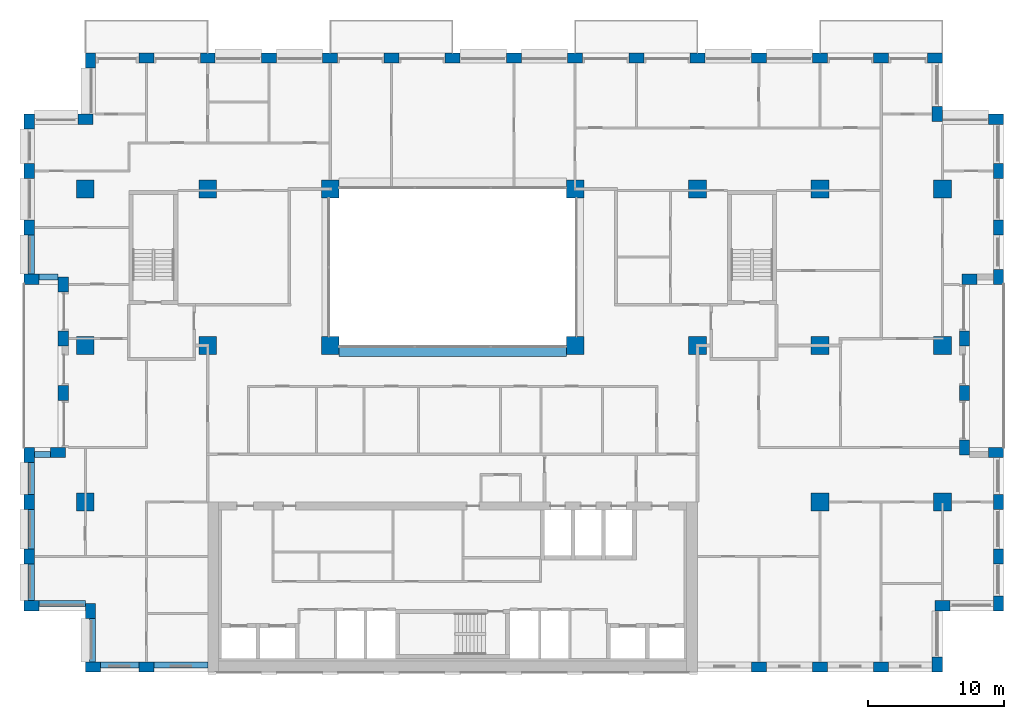
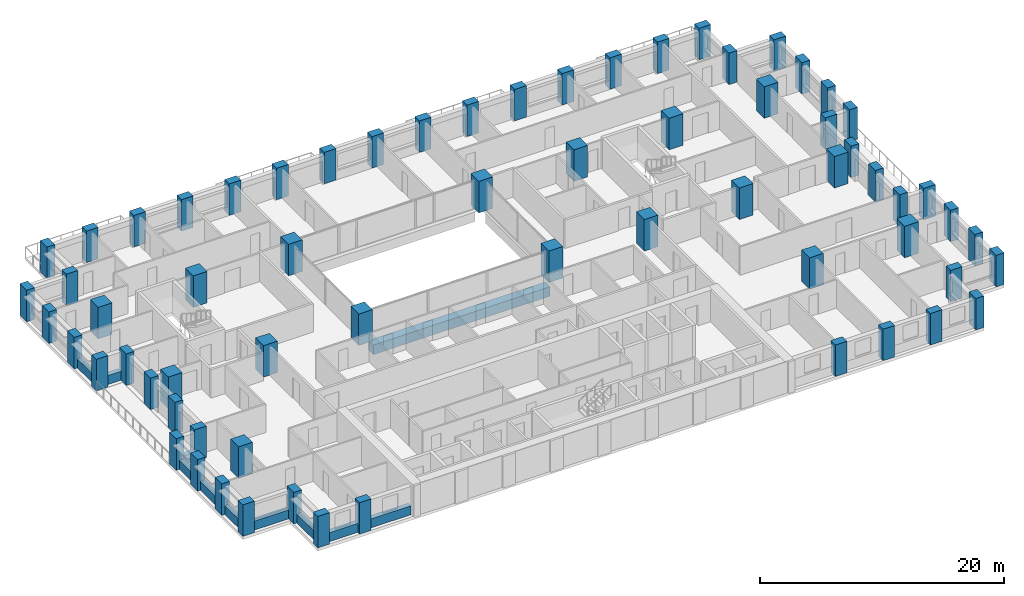
# One storey, part 1 of 17: 66 columns, 11 beams.
"""IFC4 building model written with IfcOpenShell, lengths in metres."""

from ifc_helpers import new_model, si_unit, direction, frame, origin, origin_2d, place, context, subcontext, project, spatial, rectangle, extrude, material, material_profile, profile_set, type_object, element, save


model = new_model("IFC4")

# Units and contexts
model_context = context("Model", 3, precision=1e-05, world=origin(), true_north=direction((0.0, 1.0)))
body_context = subcontext(model_context, "Body", "Model", "MODEL_VIEW")
ifc_project = project(units=[si_unit("LENGTHUNIT", "METRE"), si_unit("AREAUNIT", "SQUARE_METRE"), si_unit("VOLUMEUNIT", "CUBIC_METRE"), si_unit("PLANEANGLEUNIT", "RADIAN"), si_unit("MASSUNIT", "GRAM", prefix="KILO")], contexts=[model_context])

# Site, building, storey
site_placement = place(None, origin())
site = spatial("IfcSite", under=ifc_project, at=site_placement, CompositionType="ELEMENT")
building_placement = place(site_placement, origin())
building = spatial("IfcBuilding", under=site, at=building_placement, Name="Brigalow Station Residences", CompositionType="ELEMENT")
storey_placement = place(building_placement, frame((0.0, 0.0, 96.14990234375)))
storey = spatial("IfcBuildingStorey", under=building, at=storey_placement, Name="L27", CompositionType="ELEMENT", Elevation=96.14990234375)

# Columns
ifc_material_1 = material(Name="Concrete C65", Category="concrete")
ifc_material_profile_1 = material_profile(ifc_material_1, rectangle(XDim=1.300048828125, YDim=1.300048828125, at=origin_2d()), Name="RC1300x1300")
ifc_profile_set_1 = profile_set([ifc_material_profile_1], Name="Concrete C65")
column_type_1 = type_object("IfcColumnType", Name="COLUMN 1300x1300 C65", PredefinedType="COLUMN", material=ifc_profile_set_1)
for number, where, z_axis, x_axis, name in (
    (1, (9.0, 24.0, 0.0), (0.0, 0.0, 1.0), (1.0, 0.0, 0.0), "COLUMN C1 L27"),
    (2, (18.0, 24.0, 0.0), (0.0, 0.0, 1.0), (1.0, 0.0, 0.0), "COLUMN C2 L27"),
    (3, (27.0, 24.0, 0.0), (0.0, 0.0, 1.0), (1.0, 0.0, 0.0), "COLUMN C3 L27"),
    (4, (45.0, 24.0, 0.0), (0.0, 0.0, 1.0), (1.0, 0.0, 0.0), "COLUMN C5 L27"),
    (5, (54.0, 24.0, 0.0), (0.0, 0.0, 1.0), (1.0, 0.0, 0.0), "COLUMN C6 L27"),
    (6, (63.0, 24.0, 0.0), (0.0, 0.0, 1.0), (1.0, 0.0, 0.0), "COLUMN C7 L27"),
    (7, (72.0, 24.0, 0.0), (0.0, 0.0, 1.0), (1.0, 0.0, 0.0), "COLUMN C8 L27"),
    (8, (9.0, 35.5, 0.0), (0.0, 0.0, 1.0), (1.0, 0.0, 0.0), "COLUMN D1 L27"),
    (9, (18.0, 35.5, 0.0), (0.0, 0.0, 1.0), (1.0, 0.0, 0.0), "COLUMN D2 L27"),
    (10, (27.0, 35.5, 0.0), (0.0, 0.0, 1.0), (1.0, 0.0, 0.0), "COLUMN D3 L27"),
    (11, (45.0, 35.5, 0.0), (0.0, 0.0, 1.0), (1.0, 0.0, 0.0), "COLUMN D5 L27"),
    (12, (54.0, 35.5, 0.0), (0.0, 0.0, 1.0), (1.0, 0.0, 0.0), "COLUMN D6 L27"),
    (13, (63.0, 35.5, 0.0), (0.0, 0.0, 1.0), (1.0, 0.0, 0.0), "COLUMN D7 L27"),
    (14, (72.0, 35.5, 0.0), (0.0, 0.0, 1.0), (1.0, 0.0, 0.0), "COLUMN D8 L27"),
    (15, (9.0, 12.5, 0.0), (0.0, 0.0, 1.0), (1.0, 0.0, 0.0), "COLUMN B1 L27"),
    (16, (63.0, 12.5, 0.0), (0.0, 0.0, 1.0), (1.0, 0.0, 0.0), "COLUMN B7 L27"),
    (17, (72.0, 12.5, 0.0), (0.0, 0.0, 1.0), (1.0, 0.0, 0.0), "COLUMN B8 L27"),
):
    element("IfcColumn", number, at=place(storey_placement, frame(where, z_axis=z_axis, x_axis=x_axis)), inside=storey, type_object=column_type_1, Name=name, PredefinedType="COLUMN", context=body_context, shape_type="SweptSolid", body=[
        extrude(rectangle(XDim=1.300048828125, YDim=1.300048828125, at=origin_2d()), origin(), (0.0, 0.0, 1.0), 3.150146484375),
    ])
ifc_material_2 = material(Name="Concrete C65", Category="concrete")
ifc_material_profile_2 = material_profile(ifc_material_2, rectangle(XDim=1.10009765625, YDim=0.75, at=origin_2d()), Name="RC1100x750")
ifc_profile_set_2 = profile_set([ifc_material_profile_2], Name="Concrete C65")
column_type_2 = type_object("IfcColumnType", Name="PIER 1100x750 C65", PredefinedType="USERDEFINED", material=ifc_profile_set_2)
for number, where, z_axis, x_axis, name in (
    (18, (9.550048828125, 0.375, 0.0), (0.0, 0.0, 1.0), (1.0, 0.0, 0.0), "PIER S-1 L27"),
    (19, (13.5, 0.375, 0.0), (0.0, 0.0, 1.0), (1.0, 0.0, 0.0), "PIER S-2 L27"),
    (20, (58.5, 0.375, 0.0), (0.0, 0.0, 1.0), (1.0, 0.0, 0.0), "PIER S-12 L27"),
    (21, (63.0, 0.375, 0.0), (0.0, 0.0, 1.0), (1.0, 0.0, 0.0), "PIER S-13 L27"),
    (22, (67.5, 0.375, 0.0), (0.0, 0.0, 1.0), (1.0, 0.0, 0.0), "PIER S-14 L27"),
    (23, (71.625, 0.550048828125, 0.0), (0.0, 0.0, 1.0), (0.0, 1.0, 0.0), "PIER SE1-1 L27"),
    (24, (72.0, 4.875, 0.0), (0.0, 0.0, 1.0), (1.0, 0.0, 0.0), "PIER SE2-1 L27"),
    (25, (76.125, 5.050048828125, 0.0), (0.0, 0.0, 1.0), (0.0, 1.0, 0.0), "PIER E1-1 L27"),
    (26, (76.125, 8.5, 0.0), (0.0, 0.0, 1.0), (0.0, 1.0, 0.0), "PIER E1-2 L27"),
    (27, (76.125, 12.5, 0.0), (0.0, 0.0, 1.0), (0.0, 1.0, 0.0), "PIER E1-3 L27"),
    (28, (75.949951171875, 16.125, 0.0), (0.0, 0.0, 1.0), (-1.0, 0.0, 0.0), "PIER EL1-1 L27"),
    (29, (73.625, 16.5, 0.0), (0.0, 0.0, 1.0), (0.0, 1.0, 0.0), "PIER EL2-1 L27"),
    (30, (73.625, 20.5, 0.0), (0.0, 0.0, 1.0), (0.0, 1.0, 0.0), "PIER EL2-2 L27"),
    (31, (73.625, 24.5, 0.0), (0.0, 0.0, 1.0), (0.0, 1.0, 0.0), "PIER EL2-3 L27"),
    (32, (74.0, 28.875, 0.0), (0.0, 0.0, 1.0), (1.0, 0.0, 0.0), "PIER EL3-1 L27"),
    (33, (76.125, 29.050048828125, 0.0), (0.0, 0.0, 1.0), (0.0, 1.0, 0.0), "PIER E2-1 L27"),
    (34, (76.125, 32.6669921875, 0.0), (0.0, 0.0, 1.0), (0.0, 1.0, 0.0), "PIER E2-2 L27"),
    (35, (76.125, 36.8330078125, 0.0), (0.0, 0.0, 1.0), (0.0, 1.0, 0.0), "PIER E2-3 L27"),
    (36, (75.949951171875, 40.625, 0.0), (0.0, 0.0, 1.0), (-1.0, 0.0, 0.0), "PIER NE1-1 L27"),
    (37, (71.625, 41.0, 0.0), (0.0, 0.0, 1.0), (0.0, 1.0, 0.0), "PIER NE2-1 L27"),
    (38, (71.449951171875, 45.125, 0.0), (0.0, 0.0, 1.0), (-1.0, 0.0, 0.0), "PIER N-1 L27"),
    (39, (67.5, 45.125, 0.0), (0.0, 0.0, 1.0), (-1.0, 0.0, 0.0), "PIER N-2 L27"),
    (40, (63.0, 45.125, 0.0), (0.0, 0.0, 1.0), (-1.0, 0.0, 0.0), "PIER N-3 L27"),
    (41, (58.5, 45.125, 0.0), (0.0, 0.0, 1.0), (-1.0, 0.0, 0.0), "PIER N-4 L27"),
    (42, (54.0, 45.125, 0.0), (0.0, 0.0, 1.0), (-1.0, 0.0, 0.0), "PIER N-5 L27"),
    (43, (49.5, 45.125, 0.0), (0.0, 0.0, 1.0), (-1.0, 0.0, 0.0), "PIER N-6 L27"),
    (44, (45.0, 45.125, 0.0), (0.0, 0.0, 1.0), (-1.0, 0.0, 0.0), "PIER N-7 L27"),
    (45, (40.5, 45.125, 0.0), (0.0, 0.0, 1.0), (-1.0, 0.0, 0.0), "PIER N-8 L27"),
    (46, (36.0, 45.125, 0.0), (0.0, 0.0, 1.0), (-1.0, 0.0, 0.0), "PIER N-9 L27"),
    (47, (31.5, 45.125, 0.0), (0.0, 0.0, 1.0), (-1.0, 0.0, 0.0), "PIER N-10 L27"),
    (48, (27.0, 45.125, 0.0), (0.0, 0.0, 1.0), (-1.0, 0.0, 0.0), "PIER N-11 L27"),
    (49, (22.5, 45.125, 0.0), (0.0, 0.0, 1.0), (-1.0, 0.0, 0.0), "PIER N-12 L27"),
    (50, (18.0, 45.125, 0.0), (0.0, 0.0, 1.0), (-1.0, 0.0, 0.0), "PIER N-13 L27"),
    (51, (13.5, 45.125, 0.0), (0.0, 0.0, 1.0), (-1.0, 0.0, 0.0), "PIER N-14 L27"),
    (52, (9.375, 44.949951171875, 0.0), (0.0, 0.0, 1.0), (0.0, -1.0, 0.0), "PIER NW1-1 L27"),
    (53, (9.0, 40.625, 0.0), (0.0, 0.0, 1.0), (-1.0, 0.0, 0.0), "PIER NW2-1 L27"),
    (54, (4.875, 40.449951171875, 0.0), (0.0, 0.0, 1.0), (0.0, -1.0, 0.0), "PIER W2-1 L27"),
    (55, (4.875, 36.8330078125, 0.0), (0.0, 0.0, 1.0), (0.0, -1.0, 0.0), "PIER W2-2 L27"),
    (56, (4.875, 32.6669921875, 0.0), (0.0, 0.0, 1.0), (0.0, -1.0, 0.0), "PIER W2-3 L27"),
    (57, (5.050048828125, 28.875, 0.0), (0.0, 0.0, 1.0), (1.0, 0.0, 0.0), "PIER WL1-1 L27"),
    (58, (7.375, 28.5, 0.0), (0.0, 0.0, 1.0), (0.0, -1.0, 0.0), "PIER WL2-1 L27"),
    (59, (7.375, 24.5, 0.0), (0.0, 0.0, 1.0), (0.0, -1.0, 0.0), "PIER WL2-2 L27"),
    (60, (7.375, 20.5, 0.0), (0.0, 0.0, 1.0), (0.0, -1.0, 0.0), "PIER WL2-3 L27"),
    (61, (7.0, 16.125, 0.0), (0.0, 0.0, 1.0), (-1.0, 0.0, 0.0), "PIER WL3-1 L27"),
    (62, (4.875, 15.949951171875, 0.0), (0.0, 0.0, 1.0), (0.0, -1.0, 0.0), "PIER W1-1 L27"),
    (63, (4.875, 12.5, 0.0), (0.0, 0.0, 1.0), (0.0, -1.0, 0.0), "PIER W1-2 L27"),
    (64, (4.875, 8.5, 0.0), (0.0, 0.0, 1.0), (0.0, -1.0, 0.0), "PIER W1-3 L27"),
    (65, (5.050048828125, 4.875, 0.0), (0.0, 0.0, 1.0), (1.0, 0.0, 0.0), "PIER SW1-1 L27"),
    (66, (9.375, 4.5, 0.0), (0.0, 0.0, 1.0), (0.0, -1.0, 0.0), "PIER SW2-1 L27"),
):
    element("IfcColumn", number, at=place(storey_placement, frame(where, z_axis=z_axis, x_axis=x_axis)), inside=storey, type_object=column_type_2, Name=name, ObjectType="PIER", PredefinedType="USERDEFINED", context=body_context, shape_type="SweptSolid", body=[
        extrude(rectangle(XDim=1.10009765625, YDim=0.75, at=origin_2d()), origin(), (0.0, 0.0, 1.0), 3.150146484375),
    ])

# Beams
ifc_material_3 = material(Name="Concrete C65", Category="concrete")
ifc_material_profile_3 = material_profile(ifc_material_3, rectangle(XDim=0.800048828125, YDim=0.949951171875, at=origin_2d()), Name="RC800x950")
ifc_profile_set_3 = profile_set([ifc_material_profile_3], Name="Concrete C65")
beam_type_1 = type_object("IfcBeamType", Name="ATRIUM EDGE GIRDER OVER 13.5 M SPAN 800x950 C65", PredefinedType="BEAM", material=ifc_profile_set_3)
beam_1_placement = place(storey_placement, frame((27.64990234375, 23.60009765625, -0.794921875), z_axis=(1.0, 0.0, 0.0), x_axis=(0.0, 1.0, 0.0)))
element("IfcBeam", 67, at=beam_1_placement, inside=storey, type_object=beam_type_1, Name="ATRIUM EDGE GIRDER C L27", PredefinedType="BEAM", context=body_context, shape_type="SweptSolid", body=[
    extrude(rectangle(XDim=0.800048828125, YDim=0.949951171875, at=origin_2d()), origin(), (0.0, 0.0, 1.0), 16.7001953125),
])
ifc_material_4 = material(Name="Concrete C65", Category="concrete")
ifc_material_profile_4 = material_profile(ifc_material_4, rectangle(XDim=0.449951171875, YDim=0.89990234375, at=origin_2d()), Name="RC450x900")
ifc_profile_set_4 = profile_set([ifc_material_profile_4], Name="Concrete C65")
beam_type_2 = type_object("IfcBeamType", Name="SPANDREL BEAM 450x900 C65", PredefinedType="SPANDREL", material=ifc_profile_set_4)
beam_2_placement = place(storey_placement, frame((10.10009765625, 0.52490234375, 0.4501953125), z_axis=(1.0, 0.0, 0.0), x_axis=(0.0, 1.0, 0.0)))
element("IfcBeam", 68, at=beam_2_placement, inside=storey, type_object=beam_type_2, Name="L27/spandrel/W-L27-1", PredefinedType="SPANDREL", context=body_context, shape_type="SweptSolid", body=[
    extrude(rectangle(XDim=0.449951171875, YDim=0.89990234375, at=origin_2d()), origin(), (0.0, 0.0, 1.0), 2.849853515625),
])
beam_3_placement = place(storey_placement, frame((14.050048828125, 0.52490234375, 0.4501953125), z_axis=(1.0, 0.0, 0.0), x_axis=(0.0, 1.0, 0.0)))
element("IfcBeam", 69, at=beam_3_placement, inside=storey, type_object=beam_type_2, Name="L27/spandrel/W-L27-2", PredefinedType="SPANDREL", context=body_context, shape_type="SweptSolid", body=[
    extrude(rectangle(XDim=0.449951171875, YDim=0.89990234375, at=origin_2d()), origin(), (0.0, 0.0, 1.0), 3.949951171875),
])
beam_4_placement = place(storey_placement, frame((5.02490234375, 32.116943359375, 0.4501953125), z_axis=(0.0, -1.0, 0.0), x_axis=(1.0, 0.0, 0.0)))
element("IfcBeam", 70, at=beam_4_placement, inside=storey, type_object=beam_type_2, Name="L27/spandrel/W-L27-41", PredefinedType="SPANDREL", context=body_context, shape_type="SweptSolid", body=[
    extrude(rectangle(XDim=0.449951171875, YDim=0.89990234375, at=origin_2d()), origin(), (0.0, 0.0, 1.0), 2.866943359375),
])
beam_5_placement = place(storey_placement, frame((5.60009765625, 29.02490234375, 0.4501953125), z_axis=(1.0, 0.0, 0.0), x_axis=(0.0, 1.0, 0.0)))
element("IfcBeam", 71, at=beam_5_placement, inside=storey, type_object=beam_type_2, Name="L27/spandrel/W-L27-42", PredefinedType="SPANDREL", context=body_context, shape_type="SweptSolid", body=[
    extrude(rectangle(XDim=0.449951171875, YDim=0.89990234375, at=origin_2d()), origin(), (0.0, 0.0, 1.0), 1.39990234375),
])
beam_6_placement = place(storey_placement, frame((6.449951171875, 15.97509765625, 0.4501953125), z_axis=(-1.0, 0.0, 0.0), x_axis=(0.0, -1.0, 0.0)))
element("IfcBeam", 72, at=beam_6_placement, inside=storey, type_object=beam_type_2, Name="L27/spandrel/W-L27-46", PredefinedType="SPANDREL", context=body_context, shape_type="SweptSolid", body=[
    extrude(rectangle(XDim=0.449951171875, YDim=0.89990234375, at=origin_2d()), origin(), (0.0, 0.0, 1.0), 1.199951171875),
])
beam_7_placement = place(storey_placement, frame((5.02490234375, 15.39990234375, 0.4501953125), z_axis=(0.0, -1.0, 0.0), x_axis=(1.0, 0.0, 0.0)))
element("IfcBeam", 73, at=beam_7_placement, inside=storey, type_object=beam_type_2, Name="L27/spandrel/W-L27-47", PredefinedType="SPANDREL", context=body_context, shape_type="SweptSolid", body=[
    extrude(rectangle(XDim=0.449951171875, YDim=0.89990234375, at=origin_2d()), origin(), (0.0, 0.0, 1.0), 2.349853515625),
])
beam_8_placement = place(storey_placement, frame((5.02490234375, 11.949951171875, 0.4501953125), z_axis=(0.0, -1.0, 0.0), x_axis=(1.0, 0.0, 0.0)))
element("IfcBeam", 74, at=beam_8_placement, inside=storey, type_object=beam_type_2, Name="L27/spandrel/W-L27-48", PredefinedType="SPANDREL", context=body_context, shape_type="SweptSolid", body=[
    extrude(rectangle(XDim=0.449951171875, YDim=0.89990234375, at=origin_2d()), origin(), (0.0, 0.0, 1.0), 2.89990234375),
])
beam_9_placement = place(storey_placement, frame((5.02490234375, 7.949951171875, 0.4501953125), z_axis=(0.0, -1.0, 0.0), x_axis=(1.0, 0.0, 0.0)))
element("IfcBeam", 75, at=beam_9_placement, inside=storey, type_object=beam_type_2, Name="L27/spandrel/W-L27-49", PredefinedType="SPANDREL", context=body_context, shape_type="SweptSolid", body=[
    extrude(rectangle(XDim=0.449951171875, YDim=0.89990234375, at=origin_2d()), origin(), (0.0, 0.0, 1.0), 2.699951171875),
])
beam_10_placement = place(storey_placement, frame((5.60009765625, 5.02490234375, 0.4501953125), z_axis=(1.0, 0.0, 0.0), x_axis=(0.0, 1.0, 0.0)))
element("IfcBeam", 76, at=beam_10_placement, inside=storey, type_object=beam_type_2, Name="L27/spandrel/W-L27-50", PredefinedType="SPANDREL", context=body_context, shape_type="SweptSolid", body=[
    extrude(rectangle(XDim=0.449951171875, YDim=0.89990234375, at=origin_2d()), origin(), (0.0, 0.0, 1.0), 3.39990234375),
])
beam_11_placement = place(storey_placement, frame((9.52490234375, 3.949951171875, 0.4501953125), z_axis=(0.0, -1.0, 0.0), x_axis=(1.0, 0.0, 0.0)))
element("IfcBeam", 77, at=beam_11_placement, inside=storey, type_object=beam_type_2, Name="L27/spandrel/W-L27-51", PredefinedType="SPANDREL", context=body_context, shape_type="SweptSolid", body=[
    extrude(rectangle(XDim=0.449951171875, YDim=0.89990234375, at=origin_2d()), origin(), (0.0, 0.0, 1.0), 3.199951171875),
])

save(model, "model.ifc")
